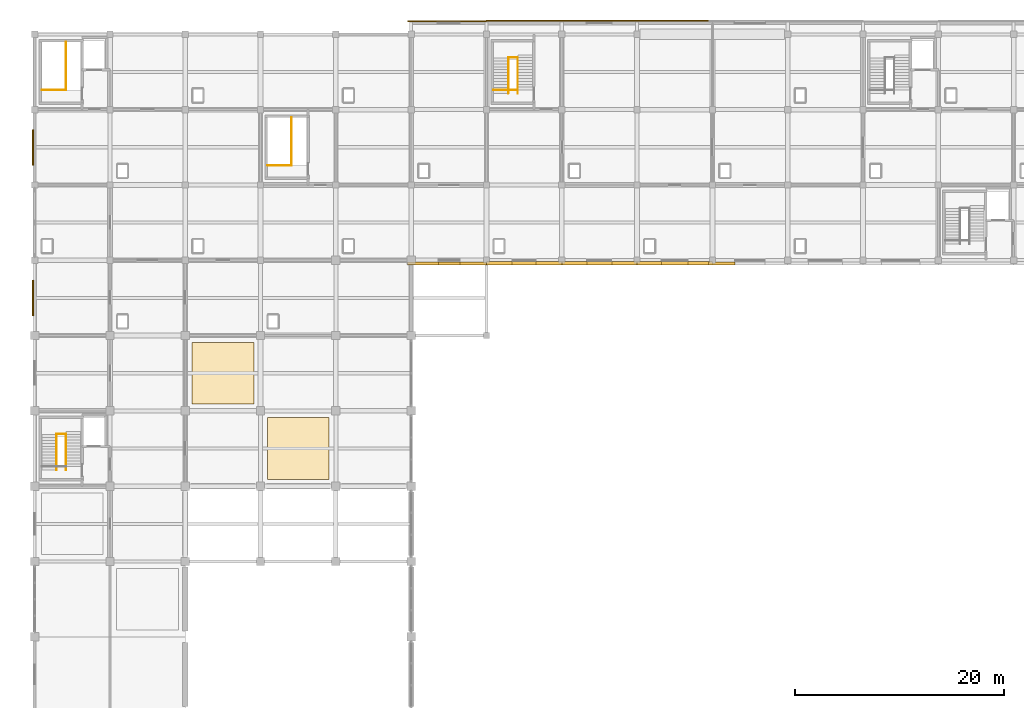
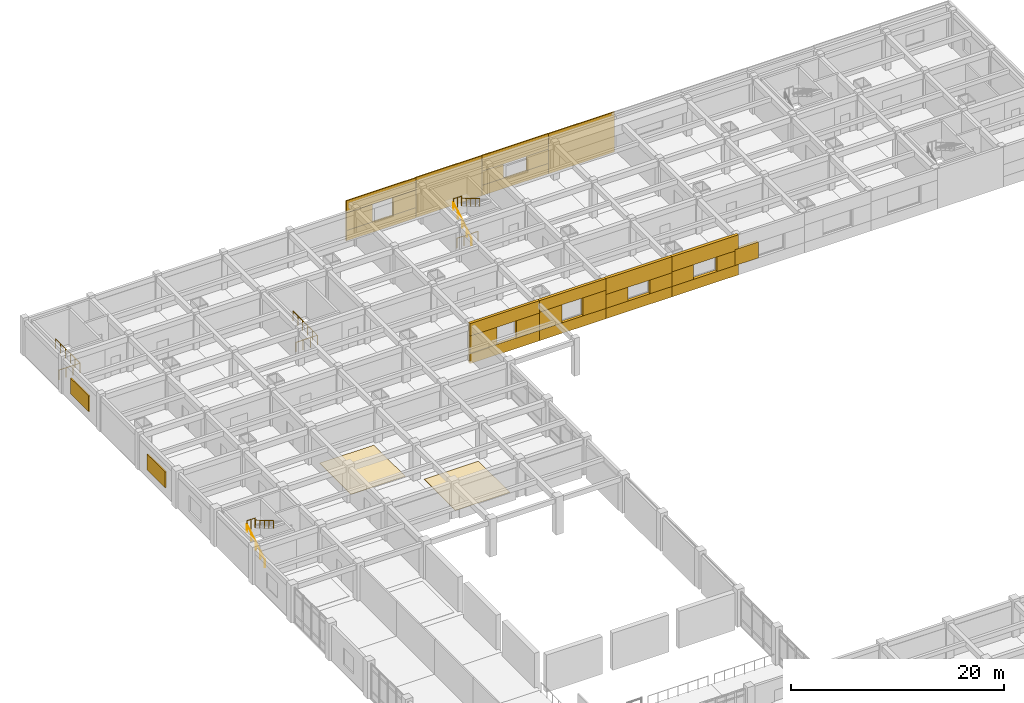
# One storey, part 66 of 70: 31 coverings, 9 railings.
"""IFC4 building model written with IfcOpenShell, lengths in metres."""

from ifc_helpers import new_model, si_unit, direction, frame, origin, origin_2d, place, context, subcontext, project, spatial, polyline, rectangle, circle, outline, extrude, material, layer, layer_set, type_object, element, save


model = new_model("IFC4")

# Units and contexts
model_context = context("Model", 3, precision=1e-05, world=origin(), true_north=direction((0.0, 1.0)))
body_context = subcontext(model_context, "Body", "Model", "MODEL_VIEW")
ifc_project = project(units=[si_unit("LENGTHUNIT", "METRE"), si_unit("AREAUNIT", "SQUARE_METRE"), si_unit("VOLUMEUNIT", "CUBIC_METRE"), si_unit("PLANEANGLEUNIT", "RADIAN"), si_unit("MASSUNIT", "GRAM", prefix="KILO")], contexts=[model_context])

# Site, building, storey
site_placement = place(None, origin())
site = spatial("IfcSite", under=ifc_project, at=site_placement, CompositionType="ELEMENT")
building_placement = place(site_placement, origin())
building = spatial("IfcBuilding", under=site, at=building_placement, Name="Kavelor Marine Aquarium", CompositionType="ELEMENT")
storey_placement = place(building_placement, frame((0.0, 0.0, 9.179931640625)))
storey = spatial("IfcBuildingStorey", under=building, at=storey_placement, Name="L02", CompositionType="ELEMENT", Elevation=9.179931640625)

# Coverings
ifc_material_1 = material(Name="Marine-Grade Perforated Aluminium Acoustic Louvre", Category="aluminium")
ifc_layer_1 = layer(ifc_material_1, 0.1201171875)
ifc_layer_set_1 = layer_set([ifc_layer_1], Name="COV-CL2")
covering_type_1 = type_object("IfcCoveringType", Name="COV-CL2", PredefinedType="CLADDING", material=ifc_layer_set_1)
for number, where, z_axis, x_axis, name in (
    (1, (3.0400390625, 85.60009765625, 1.0), (0.0, 0.0, 1.0), (1.0, 0.0, 0.0), "louvre:w:L02:11"),
    (2, (3.0400390625, 100.0, 1.0), (0.0, 0.0, 1.0), (1.0, 0.0, 0.0), "louvre:w:L02:13"),
):
    element("IfcCovering", number, at=place(storey_placement, frame(where, z_axis=z_axis, x_axis=x_axis)), inside=storey, type_object=covering_type_1, Name=name, PredefinedType="CLADDING", context=body_context, shape_type="SweptSolid", body=[
        extrude(rectangle(XDim=0.159912109375, YDim=3.39990234375, at=origin_2d()), origin(), (0.0, 0.0, 1.0), 1.800048828125),
    ])
ifc_material_2 = material(Name="Polished Coastal Terrazzo Flooring")
ifc_layer_2 = layer(ifc_material_2, 0.030029296875)
ifc_layer_set_2 = layer_set([ifc_layer_2], Name="COV-FL1")
covering_type_2 = type_object("IfcCoveringType", Name="COV-FL1", PredefinedType="FLOORING", material=ifc_layer_set_2)
covering_1_placement = place(storey_placement, origin())
element("IfcCovering", 3, at=covering_1_placement, inside=storey, type_object=covering_type_2, Name="flr:L02:02_10", PredefinedType="FLOORING", context=body_context, shape_type="SweptSolid", body=[
    extrude(outline(polyline([(18.25, 75.449951171875), (24.14990234375, 75.449951171875), (24.14990234375, 81.35009765625), (18.25, 81.35009765625), (18.25, 75.449951171875)])), origin(), (0.0, 0.0, 1.0), 0.030029296875),
])
covering_2_placement = place(storey_placement, origin())
element("IfcCovering", 4, at=covering_2_placement, inside=storey, type_object=covering_type_2, Name="flr:L02:03_09", PredefinedType="FLOORING", context=body_context, shape_type="SweptSolid", body=[
    extrude(outline(polyline([(25.449951171875, 68.25), (31.35009765625, 68.25), (31.35009765625, 74.14990234375), (25.449951171875, 74.14990234375), (25.449951171875, 68.25)])), origin(), (0.0, 0.0, 1.0), 0.030029296875),
])
ifc_material_3 = material(Name="Smooth White Marine Aluminium Composite Cladding", Category="aluminium")
ifc_layer_3 = layer(ifc_material_3, 0.10009765625)
ifc_layer_set_3 = layer_set([ifc_layer_3], Name="COV-WM1")
covering_type_3 = type_object("IfcCoveringType", Name="COV-WM1", PredefinedType="CLADDING", material=ifc_layer_set_3)
covering_3_placement = place(storey_placement, frame((0.0, 0.0, -0.280029296875)))
element("IfcCovering", 5, at=covering_3_placement, inside=storey, type_object=covering_type_3, Name="wmc:x:L02:05_12:sill", PredefinedType="CLADDING", context=body_context, shape_type="SweptSolid", body=[
    extrude(outline(polyline([(38.85009765625, 88.760009765625), (46.39990234375, 88.760009765625), (46.39990234375, 89.050048828125), (38.85009765625, 89.050048828125), (38.85009765625, 88.760009765625)])), origin(), (0.0, 0.0, 1.0), 1.190185546875),
])
covering_4_placement = place(storey_placement, frame((0.0, 0.0, 2.89013671875)))
element("IfcCovering", 6, at=covering_4_placement, inside=storey, type_object=covering_type_3, Name="wmc:x:L02:05_12:head", PredefinedType="CLADDING", context=body_context, shape_type="SweptSolid", body=[
    extrude(outline(polyline([(38.85009765625, 88.760009765625), (46.39990234375, 88.760009765625), (46.39990234375, 89.050048828125), (38.85009765625, 89.050048828125), (38.85009765625, 88.760009765625)])), origin(), (0.0, 0.0, 1.0), 1.429931640625),
])
covering_5_placement = place(storey_placement, frame((0.0, 0.0, 0.91015625)))
element("IfcCovering", 7, at=covering_5_placement, inside=storey, type_object=covering_type_3, Name="wmc:x:L02:05_12:left", PredefinedType="CLADDING", context=body_context, shape_type="SweptSolid", body=[
    extrude(outline(polyline([(38.85009765625, 88.760009765625), (41.81005859375, 88.760009765625), (41.81005859375, 89.050048828125), (38.85009765625, 89.050048828125), (38.85009765625, 88.760009765625)])), origin(), (0.0, 0.0, 1.0), 1.97998046875),
])
covering_6_placement = place(storey_placement, frame((0.0, 0.0, 0.91015625)))
element("IfcCovering", 8, at=covering_6_placement, inside=storey, type_object=covering_type_3, Name="wmc:x:L02:05_12:right", PredefinedType="CLADDING", context=body_context, shape_type="SweptSolid", body=[
    extrude(outline(polyline([(43.889892578125, 88.760009765625), (46.39990234375, 88.760009765625), (46.39990234375, 89.050048828125), (43.889892578125, 89.050048828125), (43.889892578125, 88.760009765625)])), origin(), (0.0, 0.0, 1.0), 1.97998046875),
])
covering_7_placement = place(storey_placement, frame((0.0, 0.0, -0.280029296875)))
element("IfcCovering", 9, at=covering_7_placement, inside=storey, type_object=covering_type_3, Name="wmc:x:L02:05_15:sill", PredefinedType="CLADDING", context=body_context, shape_type="SweptSolid", body=[
    extrude(outline(polyline([(38.85009765625, 112.0), (46.39990234375, 112.0), (46.39990234375, 112.1201171875), (38.85009765625, 112.1201171875), (38.85009765625, 112.0)])), origin(), (0.0, 0.0, 1.0), 1.190185546875),
])
covering_8_placement = place(storey_placement, frame((0.0, 0.0, 2.940185546875)))
element("IfcCovering", 10, at=covering_8_placement, inside=storey, type_object=covering_type_3, Name="wmc:x:L02:05_15:head", PredefinedType="CLADDING", context=body_context, shape_type="SweptSolid", body=[
    extrude(outline(polyline([(38.85009765625, 112.0), (46.39990234375, 112.0), (46.39990234375, 112.1201171875), (38.85009765625, 112.1201171875), (38.85009765625, 112.0)])), origin(), (0.0, 0.0, 1.0), 1.3798828125),
])
covering_9_placement = place(storey_placement, frame((0.0, 0.0, 0.91015625)))
element("IfcCovering", 11, at=covering_9_placement, inside=storey, type_object=covering_type_3, Name="wmc:x:L02:05_15:left", PredefinedType="CLADDING", context=body_context, shape_type="SweptSolid", body=[
    extrude(outline(polyline([(38.85009765625, 112.0), (41.7099609375, 112.0), (41.7099609375, 112.1201171875), (38.85009765625, 112.1201171875), (38.85009765625, 112.0)])), origin(), (0.0, 0.0, 1.0), 2.030029296875),
])
covering_10_placement = place(storey_placement, frame((0.0, 0.0, 0.91015625)))
element("IfcCovering", 12, at=covering_10_placement, inside=storey, type_object=covering_type_3, Name="wmc:x:L02:05_15:right", PredefinedType="CLADDING", context=body_context, shape_type="SweptSolid", body=[
    extrude(outline(polyline([(43.889892578125, 112.0), (46.39990234375, 112.0), (46.39990234375, 112.1201171875), (43.889892578125, 112.1201171875), (43.889892578125, 112.0)])), origin(), (0.0, 0.0, 1.0), 2.030029296875),
])
covering_11_placement = place(storey_placement, frame((0.0, 0.0, -0.280029296875)))
element("IfcCovering", 13, at=covering_11_placement, inside=storey, type_object=covering_type_3, Name="wmc:x:L02:06_12:sill", PredefinedType="CLADDING", context=body_context, shape_type="SweptSolid", body=[
    extrude(outline(polyline([(46.39990234375, 88.760009765625), (53.60009765625, 88.760009765625), (53.60009765625, 89.06005859375), (46.39990234375, 89.06005859375), (46.39990234375, 88.760009765625)])), origin(), (0.0, 0.0, 1.0), 1.190185546875),
])
covering_12_placement = place(storey_placement, frame((0.0, 0.0, 2.989990234375)))
element("IfcCovering", 14, at=covering_12_placement, inside=storey, type_object=covering_type_3, Name="wmc:x:L02:06_12:head", PredefinedType="CLADDING", context=body_context, shape_type="SweptSolid", body=[
    extrude(outline(polyline([(46.39990234375, 88.760009765625), (53.60009765625, 88.760009765625), (53.60009765625, 89.06005859375), (46.39990234375, 89.06005859375), (46.39990234375, 88.760009765625)])), origin(), (0.0, 0.0, 1.0), 1.330078125),
])
covering_13_placement = place(storey_placement, frame((0.0, 0.0, 0.91015625)))
element("IfcCovering", 15, at=covering_13_placement, inside=storey, type_object=covering_type_3, Name="wmc:x:L02:06_12:left", PredefinedType="CLADDING", context=body_context, shape_type="SweptSolid", body=[
    extrude(outline(polyline([(46.39990234375, 88.760009765625), (48.860107421875, 88.760009765625), (48.860107421875, 89.06005859375), (46.39990234375, 89.06005859375), (46.39990234375, 88.760009765625)])), origin(), (0.0, 0.0, 1.0), 2.079833984375),
])
covering_14_placement = place(storey_placement, frame((0.0, 0.0, 0.91015625)))
element("IfcCovering", 16, at=covering_14_placement, inside=storey, type_object=covering_type_3, Name="wmc:x:L02:06_12:right", PredefinedType="CLADDING", context=body_context, shape_type="SweptSolid", body=[
    extrude(outline(polyline([(51.139892578125, 88.760009765625), (53.60009765625, 88.760009765625), (53.60009765625, 89.06005859375), (51.139892578125, 89.06005859375), (51.139892578125, 88.760009765625)])), origin(), (0.0, 0.0, 1.0), 2.079833984375),
])
covering_15_placement = place(storey_placement, frame((0.0, 0.0, -0.280029296875)))
element("IfcCovering", 17, at=covering_15_placement, inside=storey, type_object=covering_type_3, Name="wmc:x:L02:06_15:full", PredefinedType="CLADDING", context=body_context, shape_type="SweptSolid", body=[
    extrude(outline(polyline([(46.39990234375, 112.0400390625), (53.60009765625, 112.0400390625), (53.60009765625, 112.159912109375), (46.39990234375, 112.159912109375), (46.39990234375, 112.0400390625)])), origin(), (0.0, 0.0, 1.0), 4.60009765625),
])
covering_16_placement = place(storey_placement, frame((0.0, 0.0, -0.280029296875)))
element("IfcCovering", 18, at=covering_16_placement, inside=storey, type_object=covering_type_3, Name="wmc:x:L02:07_12:sill", PredefinedType="CLADDING", context=body_context, shape_type="SweptSolid", body=[
    extrude(outline(polyline([(53.60009765625, 88.760009765625), (60.800048828125, 88.760009765625), (60.800048828125, 89.070068359375), (53.60009765625, 89.070068359375), (53.60009765625, 88.760009765625)])), origin(), (0.0, 0.0, 1.0), 1.190185546875),
])
covering_17_placement = place(storey_placement, frame((0.0, 0.0, 2.489990234375)))
element("IfcCovering", 19, at=covering_17_placement, inside=storey, type_object=covering_type_3, Name="wmc:x:L02:07_12:head", PredefinedType="CLADDING", context=body_context, shape_type="SweptSolid", body=[
    extrude(outline(polyline([(53.60009765625, 88.760009765625), (60.800048828125, 88.760009765625), (60.800048828125, 89.070068359375), (53.60009765625, 89.070068359375), (53.60009765625, 88.760009765625)])), origin(), (0.0, 0.0, 1.0), 1.830078125),
])
covering_18_placement = place(storey_placement, frame((0.0, 0.0, 0.91015625)))
element("IfcCovering", 20, at=covering_18_placement, inside=storey, type_object=covering_type_3, Name="wmc:x:L02:07_12:left", PredefinedType="CLADDING", context=body_context, shape_type="SweptSolid", body=[
    extrude(outline(polyline([(53.60009765625, 88.760009765625), (56.010009765625, 88.760009765625), (56.010009765625, 89.070068359375), (53.60009765625, 89.070068359375), (53.60009765625, 88.760009765625)])), origin(), (0.0, 0.0, 1.0), 1.579833984375),
])
covering_19_placement = place(storey_placement, frame((0.0, 0.0, 0.91015625)))
element("IfcCovering", 21, at=covering_19_placement, inside=storey, type_object=covering_type_3, Name="wmc:x:L02:07_12:right", PredefinedType="CLADDING", context=body_context, shape_type="SweptSolid", body=[
    extrude(outline(polyline([(58.389892578125, 88.760009765625), (60.800048828125, 88.760009765625), (60.800048828125, 89.070068359375), (58.389892578125, 89.070068359375), (58.389892578125, 88.760009765625)])), origin(), (0.0, 0.0, 1.0), 1.579833984375),
])
covering_20_placement = place(storey_placement, frame((0.0, 0.0, -0.280029296875)))
element("IfcCovering", 22, at=covering_20_placement, inside=storey, type_object=covering_type_3, Name="wmc:x:L02:07_15:sill", PredefinedType="CLADDING", context=body_context, shape_type="SweptSolid", body=[
    extrude(outline(polyline([(53.60009765625, 112.050048828125), (60.800048828125, 112.050048828125), (60.800048828125, 112.169921875), (53.60009765625, 112.169921875), (53.60009765625, 112.050048828125)])), origin(), (0.0, 0.0, 1.0), 1.190185546875),
])
covering_21_placement = place(storey_placement, frame((0.0, 0.0, 2.5400390625)))
element("IfcCovering", 23, at=covering_21_placement, inside=storey, type_object=covering_type_3, Name="wmc:x:L02:07_15:head", PredefinedType="CLADDING", context=body_context, shape_type="SweptSolid", body=[
    extrude(outline(polyline([(53.60009765625, 112.050048828125), (60.800048828125, 112.050048828125), (60.800048828125, 112.169921875), (53.60009765625, 112.169921875), (53.60009765625, 112.050048828125)])), origin(), (0.0, 0.0, 1.0), 1.780029296875),
])
covering_22_placement = place(storey_placement, frame((0.0, 0.0, 0.91015625)))
element("IfcCovering", 24, at=covering_22_placement, inside=storey, type_object=covering_type_3, Name="wmc:x:L02:07_15:left", PredefinedType="CLADDING", context=body_context, shape_type="SweptSolid", body=[
    extrude(outline(polyline([(53.60009765625, 112.050048828125), (55.9599609375, 112.050048828125), (55.9599609375, 112.169921875), (53.60009765625, 112.169921875), (53.60009765625, 112.050048828125)])), origin(), (0.0, 0.0, 1.0), 1.6298828125),
])
covering_23_placement = place(storey_placement, frame((0.0, 0.0, 0.91015625)))
element("IfcCovering", 25, at=covering_23_placement, inside=storey, type_object=covering_type_3, Name="wmc:x:L02:07_15:right", PredefinedType="CLADDING", context=body_context, shape_type="SweptSolid", body=[
    extrude(outline(polyline([(58.43994140625, 112.050048828125), (60.800048828125, 112.050048828125), (60.800048828125, 112.169921875), (58.43994140625, 112.169921875), (58.43994140625, 112.050048828125)])), origin(), (0.0, 0.0, 1.0), 1.6298828125),
])
covering_24_placement = place(storey_placement, frame((0.0, 0.0, -0.280029296875)))
element("IfcCovering", 26, at=covering_24_placement, inside=storey, type_object=covering_type_3, Name="wmc:x:L02:08_12:sill", PredefinedType="CLADDING", context=body_context, shape_type="SweptSolid", body=[
    extrude(outline(polyline([(60.800048828125, 88.760009765625), (68.0, 88.760009765625), (68.0, 89.080078125), (60.800048828125, 89.080078125), (60.800048828125, 88.760009765625)])), origin(), (0.0, 0.0, 1.0), 1.190185546875),
])
covering_25_placement = place(storey_placement, frame((0.0, 0.0, 2.590087890625)))
element("IfcCovering", 27, at=covering_25_placement, inside=storey, type_object=covering_type_3, Name="wmc:x:L02:08_12:head", PredefinedType="CLADDING", context=body_context, shape_type="SweptSolid", body=[
    extrude(outline(polyline([(60.800048828125, 88.760009765625), (68.0, 88.760009765625), (68.0, 89.080078125), (60.800048828125, 89.080078125), (60.800048828125, 88.760009765625)])), origin(), (0.0, 0.0, 1.0), 1.72998046875),
])
covering_26_placement = place(storey_placement, frame((0.0, 0.0, 0.91015625)))
element("IfcCovering", 28, at=covering_26_placement, inside=storey, type_object=covering_type_3, Name="wmc:x:L02:08_12:left", PredefinedType="CLADDING", context=body_context, shape_type="SweptSolid", body=[
    extrude(outline(polyline([(60.800048828125, 88.760009765625), (63.110107421875, 88.760009765625), (63.110107421875, 89.080078125), (60.800048828125, 89.080078125), (60.800048828125, 88.760009765625)])), origin(), (0.0, 0.0, 1.0), 1.679931640625),
])
covering_27_placement = place(storey_placement, frame((0.0, 0.0, 0.91015625)))
element("IfcCovering", 29, at=covering_27_placement, inside=storey, type_object=covering_type_3, Name="wmc:x:L02:08_12:right", PredefinedType="CLADDING", context=body_context, shape_type="SweptSolid", body=[
    extrude(outline(polyline([(65.68994140625, 88.760009765625), (68.0, 88.760009765625), (68.0, 89.080078125), (65.68994140625, 89.080078125), (65.68994140625, 88.760009765625)])), origin(), (0.0, 0.0, 1.0), 1.679931640625),
])
covering_28_placement = place(storey_placement, frame((0.0, 0.0, -0.280029296875)))
element("IfcCovering", 30, at=covering_28_placement, inside=storey, type_object=covering_type_3, Name="wmc:x:L02:08_15:full", PredefinedType="CLADDING", context=body_context, shape_type="SweptSolid", body=[
    extrude(outline(polyline([(60.800048828125, 112.030029296875), (68.0, 112.030029296875), (68.0, 112.14990234375), (60.800048828125, 112.14990234375), (60.800048828125, 112.030029296875)])), origin(), (0.0, 0.0, 1.0), 4.60009765625),
])
covering_29_placement = place(storey_placement, frame((0.0, 0.0, 0.91015625)))
element("IfcCovering", 31, at=covering_29_placement, inside=storey, type_object=covering_type_3, Name="wmc:x:L02:09_12:left", PredefinedType="CLADDING", context=body_context, shape_type="SweptSolid", body=[
    extrude(outline(polyline([(67.64990234375, 88.760009765625), (70.159912109375, 88.760009765625), (70.159912109375, 89.0400390625), (67.64990234375, 89.0400390625), (67.64990234375, 88.760009765625)])), origin(), (0.0, 0.0, 1.0), 1.829833984375),
])

# Railings
ifc_material_4 = material(Name="Brushed Stainless Steel Wall and Flight Handrail", Category="steel")
railing_type_1 = type_object("IfcRailingType", Name="RL-HR1", PredefinedType="HANDRAIL", material=ifc_material_4)
railing_1_placement = place(storey_placement, frame((5.2900390625, 69.159912109375, 0.0)))
element("IfcRailing", 32, at=railing_1_placement, inside=storey, type_object=railing_type_1, Name="Stair Handrail ST03-1", PredefinedType="HANDRAIL", context=body_context, shape_type="SweptSolid", body=[
    extrude(circle(Radius=0.02001953125, at=origin_2d()), frame((0.0, 0.0, 0.8798828125), z_axis=(0.0, 0.861568075097, 0.507642051029), x_axis=(-1.0, 0.0, 0.0)), (0.0, 0.0, 1.0), 3.927734375),
    extrude(circle(Radius=0.01806640625, at=origin_2d()), origin(), (0.0, 0.0, 1.0), 0.85986328125),
    extrude(circle(Radius=0.01806640625, at=origin_2d()), frame((0.0, 0.845947265625, 0.49853515625)), (0.0, 0.0, 1.0), 0.85986328125),
    extrude(circle(Radius=0.01806640625, at=origin_2d()), frame((0.0, 1.69189453125, 0.9970703125)), (0.0, 0.0, 1.0), 0.85986328125),
    extrude(circle(Radius=0.01806640625, at=origin_2d()), frame((0.0, 2.5380859375, 1.495361328125)), (0.0, 0.0, 1.0), 0.85986328125),
    extrude(circle(Radius=0.01806640625, at=origin_2d()), frame((0.0, 3.384033203125, 1.993896484375)), (0.0, 0.0, 1.0), 0.85986328125),
])
railing_2_placement = place(storey_placement, frame((6.18994140625, 72.5439453125, 2.16015625)))
element("IfcRailing", 33, at=railing_2_placement, inside=storey, type_object=railing_type_1, Name="Stair Handrail ST03-2", PredefinedType="HANDRAIL", context=body_context, shape_type="SweptSolid", body=[
    extrude(circle(Radius=0.02001953125, at=origin_2d()), frame((0.0, 0.0, 0.8798828125), z_axis=(0.0, -0.861595260526, 0.507595909202), x_axis=(1.0, 0.0, 0.0)), (0.0, 0.0, 1.0), 3.927734375),
    extrude(circle(Radius=0.01806640625, at=origin_2d()), origin(), (0.0, 0.0, 1.0), 0.85986328125),
    extrude(circle(Radius=0.01806640625, at=origin_2d()), frame((0.0, -0.845947265625, 0.49853515625)), (0.0, 0.0, 1.0), 0.85986328125),
    extrude(circle(Radius=0.01806640625, at=origin_2d()), frame((0.0, -1.69189453125, 0.996826171875)), (0.0, 0.0, 1.0), 0.85986328125),
    extrude(circle(Radius=0.01806640625, at=origin_2d()), frame((0.0, -2.5380859375, 1.4951171875)), (0.0, 0.0, 1.0), 0.85986328125),
    extrude(circle(Radius=0.01806640625, at=origin_2d()), frame((0.0, -3.384033203125, 1.99365234375)), (0.0, 0.0, 1.0), 0.85986328125),
])
railing_3_placement = place(storey_placement, frame((48.489990234375, 105.159912109375, 0.0)))
element("IfcRailing", 34, at=railing_3_placement, inside=storey, type_object=railing_type_1, Name="Stair Handrail ST05-1", PredefinedType="HANDRAIL", context=body_context, shape_type="SweptSolid", body=[
    extrude(circle(Radius=0.02001953125, at=origin_2d()), frame((0.0, 0.0, 0.8798828125), z_axis=(0.0, 0.861568075097, 0.507642051029), x_axis=(-1.0, 0.0, 0.0)), (0.0, 0.0, 1.0), 3.927734375),
    extrude(circle(Radius=0.01806640625, at=origin_2d()), origin(), (0.0, 0.0, 1.0), 0.85986328125),
    extrude(circle(Radius=0.01806640625, at=origin_2d()), frame((0.0, 0.845947265625, 0.49853515625)), (0.0, 0.0, 1.0), 0.85986328125),
    extrude(circle(Radius=0.01806640625, at=origin_2d()), frame((0.0, 1.69189453125, 0.9970703125)), (0.0, 0.0, 1.0), 0.85986328125),
    extrude(circle(Radius=0.01806640625, at=origin_2d()), frame((0.0, 2.5380859375, 1.495361328125)), (0.0, 0.0, 1.0), 0.85986328125),
    extrude(circle(Radius=0.01806640625, at=origin_2d()), frame((0.0, 3.384033203125, 1.993896484375)), (0.0, 0.0, 1.0), 0.85986328125),
])
railing_4_placement = place(storey_placement, frame((49.389892578125, 108.5439453125, 2.16015625)))
element("IfcRailing", 35, at=railing_4_placement, inside=storey, type_object=railing_type_1, Name="Stair Handrail ST05-2", PredefinedType="HANDRAIL", context=body_context, shape_type="SweptSolid", body=[
    extrude(circle(Radius=0.02001953125, at=origin_2d()), frame((0.0, 0.0, 0.8798828125), z_axis=(0.0, -0.861595260526, 0.507595909202), x_axis=(1.0, 0.0, 0.0)), (0.0, 0.0, 1.0), 3.927734375),
    extrude(circle(Radius=0.01806640625, at=origin_2d()), origin(), (0.0, 0.0, 1.0), 0.85986328125),
    extrude(circle(Radius=0.01806640625, at=origin_2d()), frame((0.0, -0.845947265625, 0.49853515625)), (0.0, 0.0, 1.0), 0.85986328125),
    extrude(circle(Radius=0.01806640625, at=origin_2d()), frame((0.0, -1.69189453125, 0.996826171875)), (0.0, 0.0, 1.0), 0.85986328125),
    extrude(circle(Radius=0.01806640625, at=origin_2d()), frame((0.0, -2.5380859375, 1.4951171875)), (0.0, 0.0, 1.0), 0.85986328125),
    extrude(circle(Radius=0.01806640625, at=origin_2d()), frame((0.0, -3.384033203125, 1.99365234375)), (0.0, 0.0, 1.0), 0.85986328125),
])
ifc_material_5 = material(Name="Brushed Stainless Steel Stair Guardrail", Category="steel")
railing_type_2 = type_object("IfcRailingType", Name="RL-SG1", PredefinedType="GUARDRAIL", material=ifc_material_5)
for number, where, name in (
    (36, (3.8798828125, 105.47998046875, 0.0), "Stairwell Guardrail ST01-W"),
    (37, (25.47998046875, 98.280029296875, 0.0), "Stairwell Guardrail ST02-W"),
):
    element("IfcRailing", number, at=place(storey_placement, frame(where)), inside=storey, type_object=railing_type_2, Name=name, PredefinedType="GUARDRAIL", context=body_context, shape_type="SweptSolid", body=[
        extrude(circle(Radius=0.0224609375, at=origin_2d()), frame((0.0, 0.0, 1.09765625), z_axis=(1.0, 0.0, 0.0), x_axis=(0.0, 1.0, 0.0)), (0.0, 0.0, 1.0), 2.300048828125),
        extrude(circle(Radius=0.0224609375, at=origin_2d()), frame((2.300048828125, 0.0, 1.09765625), z_axis=(0.0, 1.0, 0.0), x_axis=(-1.0, 0.0, 0.0)), (0.0, 0.0, 1.0), 4.590087890625),
        extrude(circle(Radius=0.02099609375, at=origin_2d()), origin(), (0.0, 0.0, 1.0), 1.0751953125),
        extrude(circle(Radius=0.02099609375, at=origin_2d()), frame((0.7666015625, 0.0, 0.0)), (0.0, 0.0, 1.0), 1.0751953125),
        extrude(circle(Radius=0.02099609375, at=origin_2d()), frame((1.533447265625, 0.0, 0.0)), (0.0, 0.0, 1.0), 1.0751953125),
        extrude(circle(Radius=0.02099609375, at=origin_2d()), frame((2.300048828125, 0.0, 0.0)), (0.0, 0.0, 1.0), 1.0751953125),
        extrude(circle(Radius=0.02099609375, at=origin_2d()), frame((2.300048828125, 0.91796875, 0.0)), (0.0, 0.0, 1.0), 1.0751953125),
        extrude(circle(Radius=0.02099609375, at=origin_2d()), frame((2.300048828125, 1.8359375, 0.0)), (0.0, 0.0, 1.0), 1.0751953125),
        extrude(circle(Radius=0.02099609375, at=origin_2d()), frame((2.300048828125, 2.754150390625, 0.0)), (0.0, 0.0, 1.0), 1.0751953125),
        extrude(circle(Radius=0.02099609375, at=origin_2d()), frame((2.300048828125, 3.672119140625, 0.0)), (0.0, 0.0, 1.0), 1.0751953125),
        extrude(circle(Radius=0.02099609375, at=origin_2d()), frame((2.300048828125, 4.590087890625, 0.0)), (0.0, 0.0, 1.0), 1.0751953125),
    ])
for number, where, name in (
    (38, (5.2900390625, 72.573974609375, 2.16015625), "Landing Guardrail ST03-M"),
    (39, (48.489990234375, 108.573974609375, 2.16015625), "Landing Guardrail ST05-M"),
):
    element("IfcRailing", number, at=place(storey_placement, frame(where)), inside=storey, type_object=railing_type_2, Name=name, PredefinedType="GUARDRAIL", context=body_context, shape_type="SweptSolid", body=[
        extrude(circle(Radius=0.0224609375, at=origin_2d()), frame((0.0, 0.0, 1.09765625), z_axis=(1.0, 0.0, 0.0), x_axis=(0.0, 1.0, 0.0)), (0.0, 0.0, 1.0), 0.89990234375),
        extrude(circle(Radius=0.02099609375, at=origin_2d()), origin(), (0.0, 0.0, 1.0), 1.0751953125),
        extrude(circle(Radius=0.02099609375, at=origin_2d()), frame((0.449951171875, 0.0, 0.0)), (0.0, 0.0, 1.0), 1.0751953125),
        extrude(circle(Radius=0.02099609375, at=origin_2d()), frame((0.89990234375, 0.0, 0.0)), (0.0, 0.0, 1.0), 1.0751953125),
    ])
railing_5_placement = place(storey_placement, frame((47.080078125, 105.47998046875, 0.0)))
element("IfcRailing", 40, at=railing_5_placement, inside=storey, type_object=railing_type_2, Name="Stairwell Guardrail ST05-W", PredefinedType="GUARDRAIL", context=body_context, shape_type="SweptSolid", body=[
    extrude(circle(Radius=0.0224609375, at=origin_2d()), frame((0.0, 0.0, 1.09765625), z_axis=(1.0, 0.0, 0.0), x_axis=(0.0, 1.0, 0.0)), (0.0, 0.0, 1.0), 2.2998046875),
    extrude(circle(Radius=0.02099609375, at=origin_2d()), origin(), (0.0, 0.0, 1.0), 1.0751953125),
    extrude(circle(Radius=0.02099609375, at=origin_2d()), frame((0.7666015625, 0.0, 0.0)), (0.0, 0.0, 1.0), 1.0751953125),
    extrude(circle(Radius=0.02099609375, at=origin_2d()), frame((1.533203125, 0.0, 0.0)), (0.0, 0.0, 1.0), 1.0751953125),
    extrude(circle(Radius=0.02099609375, at=origin_2d()), frame((2.2998046875, 0.0, 0.0)), (0.0, 0.0, 1.0), 1.0751953125),
])

save(model, "model.ifc")
